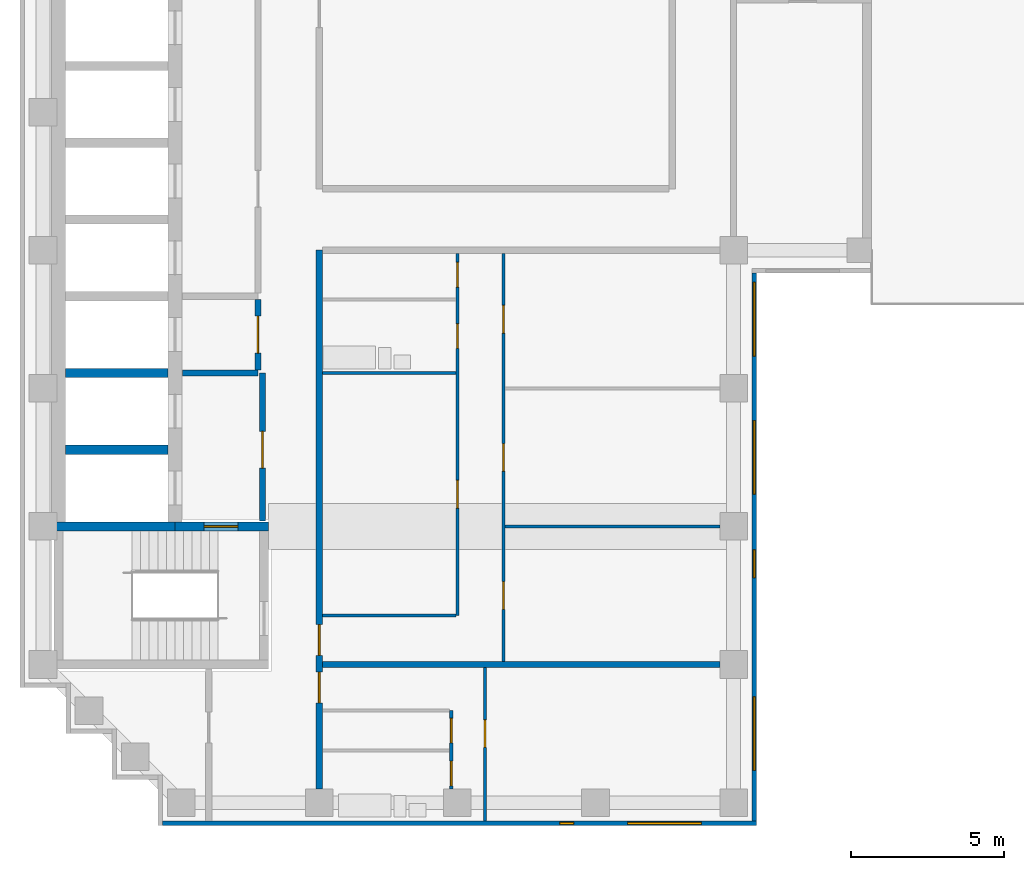
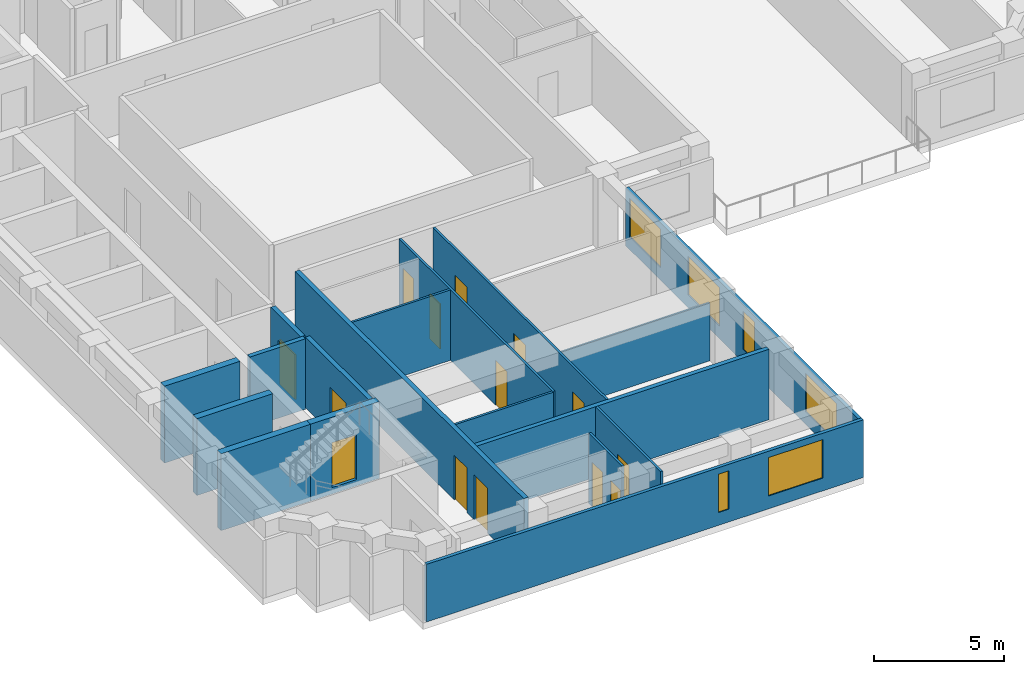
# One storey, part 2 of 7: 18 walls, 14 doors, 6 windows, 20 openings.
"""IFC4 building model written with IfcOpenShell, lengths in metres."""

import ifcopenshell
import ifcopenshell.guid

model = None  # the IFC model being written
_history = None  # IfcOwnerHistory: only IFC2X3 demands one
_inside = {}  # id of a spatial element -> (the spatial element, [elements in it])
_under = {}  # id of a project, library or spatial element -> (it, [spatial elements below it])
_declared = {}  # id of a project -> (the project, [libraries it declares])
_typed = {}  # id of a type object -> (the type object, [elements of that type])
_made_of = {}  # id of a material, layer set ... -> (it, [elements and type objects made of it])


def new_model(schema):
    """Start an empty IFC model of exactly this schema.

    Asked for "IFC4X3", IfcOpenShell would pick the latest addendum, in which some entities
    have other attributes; the version numbers below select the first issue.
    IFC2X3 requires an IfcOwnerHistory on every rooted entity: one is made here for all.
    """
    global model, _history
    if schema == "IFC4X3":
        model = ifcopenshell.file(schema_version=(4, 3, 0, 0))
    else:
        model = ifcopenshell.file(schema=schema)
    _inside.clear()
    _under.clear()
    _declared.clear()
    _typed.clear()
    _made_of.clear()
    _history = None
    if model.schema == "IFC2X3":
        org = make("IfcOrganization", Name="unknown")
        user = make(
            "IfcPersonAndOrganization",
            ThePerson=make("IfcPerson", FamilyName="unknown"),
            TheOrganization=org,
        )
        app = make(
            "IfcApplication",
            ApplicationDeveloper=org,
            Version="unknown",
            ApplicationFullName="unknown",
            ApplicationIdentifier="unknown",
        )
        _history = make(
            "IfcOwnerHistory",
            OwningUser=user,
            OwningApplication=app,
            ChangeAction="ADDED",
            CreationDate=0,
        )
    return model


def make(cls, **values):
    """One entity of the class cls with the attributes given. An attribute that is None is left unset."""
    return model.create_entity(
        cls, **{name: value for name, value in values.items() if value is not None}
    )


def rooted(cls, **values):
    """An entity with a GlobalId (a new one), such as an element, a storey or a relation."""
    return make(cls, GlobalId=ifcopenshell.guid.new(), OwnerHistory=_history, **values)


def si_unit(unit_type, name, prefix=None):
    """IfcSIUnit, for example si_unit("LENGTHUNIT", "METRE", prefix="MILLI")."""
    return make("IfcSIUnit", UnitType=unit_type, Prefix=prefix, Name=name)


def assignment(units):
    """IfcUnitAssignment: the units of a project."""
    return None if units is None else make("IfcUnitAssignment", Units=units)


def point(xyz):
    """IfcCartesianPoint."""
    return None if xyz is None else make("IfcCartesianPoint", Coordinates=xyz)


def direction(xyz):
    """IfcDirection."""
    return None if xyz is None else make("IfcDirection", DirectionRatios=xyz)


def frame(location, z_axis=None, x_axis=None):
    """IfcAxis2Placement3D, a coordinate frame: its origin and axes. An axis left out is left unset."""
    return make(
        "IfcAxis2Placement3D",
        Location=point(location),
        Axis=direction(z_axis),
        RefDirection=direction(x_axis),
    )


def frame_2d(location, x_axis=None):
    """IfcAxis2Placement2D, a coordinate frame in the plane: its origin and x axis."""
    return make(
        "IfcAxis2Placement2D", Location=point(location), RefDirection=direction(x_axis)
    )


def origin():
    """The frame at (0, 0, 0) with its axes left unset."""
    return frame((0.0, 0.0, 0.0))


def place(relative_to, where):
    """IfcLocalPlacement: puts the frame where relative to a parent placement (None: the world)."""
    return make(
        "IfcLocalPlacement", PlacementRelTo=relative_to, RelativePlacement=where
    )


def context(
    kind, dimensions, precision=None, world=None, true_north=None, identifier=None
):
    """IfcGeometricRepresentationContext, for example the 3D "Model" context."""
    return make(
        "IfcGeometricRepresentationContext",
        ContextIdentifier=identifier,
        ContextType=kind,
        CoordinateSpaceDimension=dimensions,
        Precision=precision,
        WorldCoordinateSystem=world,
        TrueNorth=true_north,
    )


def subcontext(parent, identifier, kind, view, scale=None):
    """IfcGeometricRepresentationSubContext, for example "Body" below "Model"."""
    return make(
        "IfcGeometricRepresentationSubContext",
        ContextIdentifier=identifier,
        ContextType=kind,
        ParentContext=parent,
        TargetScale=scale,
        TargetView=view,
    )


def project(units=None, contexts=None):
    """IfcProject with its units and contexts."""
    return rooted(
        "IfcProject",
        Name="project",
        RepresentationContexts=contexts,
        UnitsInContext=assignment(units),
    )


def spatial(cls, under=None, at=None, **own):
    """A site, building, storey or space (cls), placed at a placement, below another one or the project."""
    s = rooted(cls, ObjectPlacement=at, **own)
    if under is not None:
        _under.setdefault(under.id(), (under, []))[1].append(s)
    return s


def profile(cls, at=None, kind="AREA", **sizes):
    """A parametric profile (cls). Its sizes go by their IFC names, for example OverallWidth=200.0."""
    return make(cls, ProfileType=kind, Position=at, **sizes)


def rectangle(**sizes):
    """IfcRectangleProfileDef."""
    return profile("IfcRectangleProfileDef", **sizes)


def extrude(swept, where, along, depth):
    """IfcExtrudedAreaSolid: the profile swept, set in the frame where, extruded along a direction by depth."""
    return make(
        "IfcExtrudedAreaSolid",
        SweptArea=swept,
        Position=where,
        ExtrudedDirection=direction(along),
        Depth=depth,
    )


def shape(context_of_items, identifier, shape_type, items):
    """IfcShapeRepresentation: the items that make up one representation, for example the "Body"."""
    return make(
        "IfcShapeRepresentation",
        ContextOfItems=context_of_items,
        RepresentationIdentifier=identifier,
        RepresentationType=shape_type,
        Items=items,
    )


def material(Name=None, Category=None):
    """IfcMaterial."""
    return make("IfcMaterial", Name=Name, Category=Category)


def layer(
    of_material, thickness, ventilated=None, Name=None, Category=None, Priority=None
):
    """IfcMaterialLayer: one layer of a wall or slab, of a material (None: an air gap)."""
    return make(
        "IfcMaterialLayer",
        Material=of_material,
        LayerThickness=thickness,
        IsVentilated=ventilated,
        Name=Name,
        Category=Category,
        Priority=Priority,
    )


def layer_set(layers, Name=None):
    """IfcMaterialLayerSet."""
    return make("IfcMaterialLayerSet", MaterialLayers=layers, LayerSetName=Name)


def made_of(thing, what):
    """Note that an element or type object is made of a material, layer set ...; save() writes the relation."""
    if what is not None:
        _made_of.setdefault(what.id(), (what, []))[1].append(thing)
    return thing


def type_object(cls, material=None, **own):
    """A type object (cls), such as IfcWallType, which elements share."""
    return made_of(rooted(cls, **own), material)


def element(
    cls,
    number,
    at=None,
    inside=None,
    cuts=None,
    type_object=None,
    material=None,
    context=None,
    identifier="Body",
    shape_type=None,
    held_by="IfcProductDefinitionShape",
    body=None,
    shapes=None,
    **own,
):
    """One element of the class cls, such as IfcWall. Its Tag is "e" and its number.

    at: its placement. inside: the storey or other place that contains it. cuts: it is an
    opening in that element (IfcRelVoidsElement). A single representation is given by context,
    identifier, shape_type and body (its items); several are given by shapes. held_by: the class
    of the entity that holds the representations. save() writes the other relations.
    """
    e = rooted(cls, Tag="e%d" % number, ObjectPlacement=at, **own)
    if body is not None:
        shapes = [shape(context, identifier, shape_type, body)]
    if shapes is not None:
        e.Representation = make(held_by, Representations=shapes)
    if inside is not None:
        _inside.setdefault(inside.id(), (inside, []))[1].append(e)
    if cuts is not None:
        rooted(
            "IfcRelVoidsElement", RelatingBuildingElement=cuts, RelatedOpeningElement=e
        )
    if type_object is not None:
        _typed.setdefault(type_object.id(), (type_object, []))[1].append(e)
    return made_of(e, material)


def fill(opening, filler):
    """IfcRelFillsElement: the door or window that sits in an opening."""
    return rooted(
        "IfcRelFillsElement",
        RelatingOpeningElement=opening,
        RelatedBuildingElement=filler,
    )


def aggregate(whole, parts):
    """IfcRelAggregates: a whole, such as a stair, and the parts it consists of."""
    return rooted("IfcRelAggregates", RelatingObject=whole, RelatedObjects=parts)


def save(model, path):
    """Write the relations noted so far, then the file.

    IfcRelAggregates (storeys below a building ...), IfcRelContainedInSpatialStructure (elements
    in a storey), IfcRelDefinesByType, IfcRelAssociatesMaterial and IfcRelDeclares: one each for
    every whole, place, type object, material and project.
    """
    for whole, parts in _under.values():
        aggregate(whole, parts)
    for where, things in _inside.values():
        rooted(
            "IfcRelContainedInSpatialStructure",
            RelatedElements=things,
            RelatingStructure=where,
        )
    for kind, things in _typed.values():
        rooted("IfcRelDefinesByType", RelatedObjects=things, RelatingType=kind)
    for what, things in _made_of.values():
        rooted("IfcRelAssociatesMaterial", RelatedObjects=things, RelatingMaterial=what)
    for by, libraries in _declared.values():
        rooted("IfcRelDeclares", RelatingContext=by, RelatedDefinitions=libraries)
    model.write(path)


model = new_model("IFC4")

# Units and contexts
model_context = context("Model", 3, precision=1e-05, world=origin(), true_north=direction((0.0, 1.0)))
body_context = subcontext(model_context, "Body", "Model", "MODEL_VIEW")
ifc_project = project(units=[si_unit("LENGTHUNIT", "METRE"), si_unit("AREAUNIT", "SQUARE_METRE"), si_unit("VOLUMEUNIT", "CUBIC_METRE"), si_unit("PLANEANGLEUNIT", "RADIAN"), si_unit("MASSUNIT", "GRAM", prefix="KILO")], contexts=[model_context])

# Site, building, storey
site_placement = place(None, origin())
site = spatial("IfcSite", under=ifc_project, at=site_placement, CompositionType="ELEMENT")
building_placement = place(site_placement, origin())
building = spatial("IfcBuilding", under=site, at=building_placement, Name="Firuza Court", CompositionType="ELEMENT")
storey_placement = place(building_placement, frame((0.0, 0.0, 240.199951171875)))
storey = spatial("IfcBuildingStorey", under=building, at=storey_placement, Name="L62", CompositionType="ELEMENT", Elevation=240.199951171875)

# Walls
ifc_material_1 = material(Name="Moisture-resistant gypsum board partition")
ifc_layer_1 = layer(ifc_material_1, 0.10009765625)
ifc_layer_set_1 = layer_set([ifc_layer_1], Name="Moisture-resistant gypsum board partition")
wall_type_1 = type_object("IfcWallType", Name="Bathroom partition 100", PredefinedType="PLUMBINGWALL", material=ifc_layer_set_1)
wall_1_placement = place(storey_placement, frame((9.10009765625, 32.0, 0.0), z_axis=(0.0, 0.0, 1.0), x_axis=(1.0, 0.0, 0.0)))
element("IfcWall", 1, at=wall_1_placement, inside=storey, type_object=wall_type_1, Name="Bathroom partition 100 L62", PredefinedType="PLUMBINGWALL", context=body_context, shape_type="SweptSolid", body=[
    extrude(rectangle(XDim=4.349853515625, YDim=0.10009765625, at=frame_2d((2.1748046875, 0.0))), origin(), (0.0, 0.0, 1.0), 3.300048828125),
])
ifc_material_2 = material(Name="Concrete C50/60", Category="concrete")
ifc_layer_2 = layer(ifc_material_2, 0.300048828125)
ifc_layer_set_2 = layer_set([ifc_layer_2], Name="Concrete C50/60")
wall_type_2 = type_object("IfcWallType", Name="Core wall 300 C50/60", PredefinedType="SHEAR", material=ifc_layer_set_2)
wall_2_placement = place(storey_placement, frame((0.35009765625, 27.0, -0.300048828125), z_axis=(0.0, 0.0, 1.0), x_axis=(1.0, 0.0, 0.0)))
element("IfcWall", 2, at=wall_2_placement, inside=storey, type_object=wall_type_2, Name="Core wall lift shaft L62", PredefinedType="SHEAR", context=body_context, shape_type="SweptSolid", body=[
    extrude(rectangle(XDim=3.949951171875, YDim=0.300048828125, at=frame_2d((1.97509765625, 0.0))), origin(), (0.0, 0.0, 1.0), 3.60009765625),
])
for number, where, z_axis, x_axis, name in (
    (3, (0.72509765625, 29.5, -0.300048828125), (0.0, 0.0, 1.0), (1.0, 0.0, 0.0), "Core wall lift shaft L62"),
    (4, (0.72509765625, 32.0, -0.300048828125), (0.0, 0.0, 1.0), (1.0, 0.0, 0.0), "Core wall lift shaft L62"),
):
    element("IfcWall", number, at=place(storey_placement, frame(where, z_axis=z_axis, x_axis=x_axis)), inside=storey, type_object=wall_type_2, Name=name, PredefinedType="SHEAR", context=body_context, shape_type="SweptSolid", body=[
        extrude(rectangle(XDim=3.349853515625, YDim=0.300048828125, at=frame_2d((1.6748046875, 0.0))), origin(), (0.0, 0.0, 1.0), 3.60009765625),
    ])

# Wall, opening, door
wall_3_placement = place(storey_placement, frame((4.300048828125, 27.0, -0.300048828125), z_axis=(0.0, 0.0, 1.0), x_axis=(1.0, 0.0, 0.0)))
wall_3 = element("IfcWall", 5, at=wall_3_placement, inside=storey, type_object=wall_type_2, Name="Core wall stair L62", PredefinedType="SHEAR", context=body_context, shape_type="SweptSolid", body=[
    extrude(rectangle(XDim=3.050048828125, YDim=0.300048828125, at=frame_2d((1.52490234375, 0.0))), origin(), (0.0, 0.0, 1.0), 3.60009765625),
])
opening_1_placement = place(wall_3_placement, frame((0.949951171875, 0.0, 0.300048828125)))
opening_1 = element("IfcOpeningElement", 6, at=opening_1_placement, cuts=wall_3, Name="Opening D62009", PredefinedType="OPENING", context=body_context, shape_type="SweptSolid", body=[
    extrude(rectangle(XDim=1.10009765625, YDim=2.10009765625, at=frame_2d((0.550048828125, 1.050048828125))), frame((0.0, 0.162109375, 0.0), z_axis=(0.0, -1.0, 0.0), x_axis=(1.0, 0.0, 0.0)), (0.0, 0.0, 1.0), 0.323974609375),
])
ifc_material_3 = material(Name="Timber door leaf in hardwood frame", Category="wood")
door_type_1 = type_object("IfcDoorType", Name="Stair door 1100", OperationType="SINGLE_SWING_LEFT", PredefinedType="DOOR", material=ifc_material_3)
door_1_placement = place(opening_1_placement, frame((1.10009765625, 0.0, 0.0), z_axis=(0.0, 0.0, 1.0), x_axis=(-1.0, 0.0, 0.0)))
door_1 = element("IfcDoor", 7, at=door_1_placement, inside=storey, type_object=door_type_1, Name="Fire-fighting lobby door", OperationType="SINGLE_SWING_LEFT", OverallHeight=2.10009765625, OverallWidth=1.10009765625, PredefinedType="DOOR", context=body_context, shape_type="SweptSolid", body=[
    extrude(rectangle(XDim=1.10009765625, YDim=2.10009765625, at=frame_2d((0.550048828125, 1.050048828125))), frame((0.0, 0.02490234375, 0.0), z_axis=(0.0, -1.0, 0.0), x_axis=(1.0, 0.0, 0.0)), (0.0, 0.0, 1.0), 0.050048828125),
])
fill(opening_1, door_1)

# Wall, openings, doors
ifc_material_4 = material(Name="Blockwork, plastered both sides", Category="masonry")
ifc_layer_3 = layer(ifc_material_4, 0.199951171875)
ifc_layer_set_3 = layer_set([ifc_layer_3], Name="Blockwork, plastered both sides")
wall_type_3 = type_object("IfcWallType", Name="Corridor wall 200", PredefinedType="PARTITIONING", material=ifc_layer_set_3)
wall_4_placement = place(storey_placement, frame((9.0, 18.449951171875, 0.0), z_axis=(0.0, 0.0, 1.0), x_axis=(0.0, 1.0, 0.0)))
wall_4 = element("IfcWall", 8, at=wall_4_placement, inside=storey, type_object=wall_type_3, Name="Corridor wall 200 L62", PredefinedType="PARTITIONING", context=body_context, shape_type="SweptSolid", body=[
    extrude(rectangle(XDim=17.550048828125, YDim=0.199951171875, at=frame_2d((8.77490234375, 0.0))), origin(), (0.0, 0.0, 1.0), 3.300048828125),
])
opening_2_placement = place(wall_4_placement, frame((4.35009765625, 0.0, 0.0)))
opening_2 = element("IfcOpeningElement", 9, at=opening_2_placement, cuts=wall_4, Name="Opening D62014", PredefinedType="OPENING", context=body_context, shape_type="SweptSolid", body=[
    extrude(rectangle(XDim=1.0, YDim=2.10009765625, at=frame_2d((0.5, 1.050048828125))), frame((0.0, 0.11181640625, 0.0), z_axis=(0.0, -1.0, 0.0), x_axis=(1.0, 0.0, 0.0)), (0.0, 0.0, 1.0), 0.223876953125),
])
opening_3_placement = place(wall_4_placement, frame((2.800048828125, 0.0, 0.0)))
opening_3 = element("IfcOpeningElement", 10, at=opening_3_placement, cuts=wall_4, Name="Opening D62015", PredefinedType="OPENING", context=body_context, shape_type="SweptSolid", body=[
    extrude(rectangle(XDim=1.0, YDim=2.10009765625, at=frame_2d((0.5, 1.050048828125))), frame((0.0, 0.11181640625, 0.0), z_axis=(0.0, -1.0, 0.0), x_axis=(1.0, 0.0, 0.0)), (0.0, 0.0, 1.0), 0.223876953125),
])
ifc_material_5 = material(Name="Timber door leaf in hardwood frame", Category="wood")
door_type_2 = type_object("IfcDoorType", Name="Flat entrance door 1000", OperationType="SINGLE_SWING_LEFT", PredefinedType="DOOR", material=ifc_material_5)
door_2_placement = place(opening_2_placement, origin())
door_2 = element("IfcDoor", 11, at=door_2_placement, inside=storey, type_object=door_type_2, Name="Flat entrance door", OperationType="SINGLE_SWING_LEFT", OverallHeight=2.10009765625, OverallWidth=1.0, PredefinedType="DOOR", context=body_context, shape_type="SweptSolid", body=[
    extrude(rectangle(XDim=1.0, YDim=2.10009765625, at=frame_2d((0.5, 1.050048828125))), frame((0.0, 0.02490234375, 0.0), z_axis=(0.0, -1.0, 0.0), x_axis=(1.0, 0.0, 0.0)), (0.0, 0.0, 1.0), 0.050048828125),
])
fill(opening_2, door_2)
door_3_placement = place(opening_3_placement, origin())
door_3 = element("IfcDoor", 12, at=door_3_placement, inside=storey, type_object=door_type_2, Name="Flat entrance door", OperationType="SINGLE_SWING_LEFT", OverallHeight=2.10009765625, OverallWidth=1.0, PredefinedType="DOOR", context=body_context, shape_type="SweptSolid", body=[
    extrude(rectangle(XDim=1.0, YDim=2.10009765625, at=frame_2d((0.5, 1.050048828125))), frame((0.0, 0.02490234375, 0.0), z_axis=(0.0, -1.0, 0.0), x_axis=(1.0, 0.0, 0.0)), (0.0, 0.0, 1.0), 0.050048828125),
])
fill(opening_3, door_3)

# Wall, opening, door
ifc_material_6 = material(Name="Timber stud partition, plasterboard both sides", Category="wood")
ifc_layer_4 = layer(ifc_material_6, 0.10009765625)
ifc_layer_set_4 = layer_set([ifc_layer_4], Name="Timber stud partition, plasterboard both sides")
wall_type_4 = type_object("IfcWallType", Name="Partition wall 100", PredefinedType="PARTITIONING", material=ifc_layer_set_4)
wall_5_placement = place(storey_placement, frame((14.39990234375, 17.39990234375, 0.0), z_axis=(0.0, 0.0, 1.0), x_axis=(0.0, 1.0, 0.0)))
wall_5 = element("IfcWall", 13, at=wall_5_placement, inside=storey, type_object=wall_type_4, Name="Partition wall 100 L62", PredefinedType="PARTITIONING", context=body_context, shape_type="SweptSolid", body=[
    extrude(rectangle(XDim=5.0, YDim=0.10009765625, at=frame_2d((2.5, 0.0))), origin(), (0.0, 0.0, 1.0), 3.300048828125),
])
opening_4_placement = place(wall_5_placement, frame((2.39990234375, 0.0, 0.0)))
opening_4 = element("IfcOpeningElement", 14, at=opening_4_placement, cuts=wall_5, Name="Opening D62013", PredefinedType="OPENING", context=body_context, shape_type="SweptSolid", body=[
    extrude(rectangle(XDim=0.89990234375, YDim=2.10009765625, at=frame_2d((0.449951171875, 1.050048828125))), frame((0.0, 0.06201171875, 0.0), z_axis=(0.0, -1.0, 0.0), x_axis=(1.0, 0.0, 0.0)), (0.0, 0.0, 1.0), 0.1240234375),
])
ifc_material_7 = material(Name="Timber door leaf in hardwood frame", Category="wood")
door_type_3 = type_object("IfcDoorType", Name="Room door 900", OperationType="SINGLE_SWING_LEFT", PredefinedType="DOOR", material=ifc_material_7)
door_4_placement = place(opening_4_placement, frame((0.89990234375, 0.0, 0.0), z_axis=(0.0, 0.0, 1.0), x_axis=(-1.0, 0.0, 0.0)))
door_4 = element("IfcDoor", 15, at=door_4_placement, inside=storey, type_object=door_type_3, Name="Studio room door", OperationType="SINGLE_SWING_LEFT", OverallHeight=2.10009765625, OverallWidth=0.89990234375, PredefinedType="DOOR", context=body_context, shape_type="SweptSolid", body=[
    extrude(rectangle(XDim=0.89990234375, YDim=2.10009765625, at=frame_2d((0.449951171875, 1.050048828125))), frame((0.0, 0.02490234375, 0.0), z_axis=(0.0, -1.0, 0.0), x_axis=(1.0, 0.0, 0.0)), (0.0, 0.0, 1.0), 0.050048828125),
])
fill(opening_4, door_4)

# Wall, openings, doors
wall_6_placement = place(storey_placement, frame((13.300048828125, 18.449951171875, 0.0), z_axis=(0.0, 0.0, 1.0), x_axis=(0.0, 1.0, 0.0)))
wall_6 = element("IfcWall", 16, at=wall_6_placement, inside=storey, type_object=wall_type_4, Name="Partition wall 100 L62", PredefinedType="PARTITIONING", context=body_context, shape_type="SweptSolid", body=[
    extrude(rectangle(XDim=2.550048828125, YDim=0.10009765625, at=frame_2d((1.27490234375, 0.0))), origin(), (0.0, 0.0, 1.0), 3.300048828125),
])
opening_5_placement = place(wall_6_placement, frame((0.10009765625, 0.0, 0.0)))
opening_5 = element("IfcOpeningElement", 17, at=opening_5_placement, cuts=wall_6, Name="Opening D62016", PredefinedType="OPENING", context=body_context, shape_type="SweptSolid", body=[
    extrude(rectangle(XDim=0.800048828125, YDim=2.10009765625, at=frame_2d((0.39990234375, 1.050048828125))), frame((0.0, 0.06201171875, 0.0), z_axis=(0.0, -1.0, 0.0), x_axis=(1.0, 0.0, 0.0)), (0.0, 0.0, 1.0), 0.1240234375),
])
opening_6_placement = place(wall_6_placement, frame((1.5, 0.0, 0.0)))
opening_6 = element("IfcOpeningElement", 18, at=opening_6_placement, cuts=wall_6, Name="Opening D62017", PredefinedType="OPENING", context=body_context, shape_type="SweptSolid", body=[
    extrude(rectangle(XDim=0.800048828125, YDim=2.10009765625, at=frame_2d((0.39990234375, 1.050048828125))), frame((0.0, 0.06201171875, 0.0), z_axis=(0.0, -1.0, 0.0), x_axis=(1.0, 0.0, 0.0)), (0.0, 0.0, 1.0), 0.1240234375),
])
ifc_material_8 = material(Name="Timber door leaf in hardwood frame", Category="wood")
door_type_4 = type_object("IfcDoorType", Name="Bathroom door 800", OperationType="SINGLE_SWING_LEFT", PredefinedType="DOOR", material=ifc_material_8)
door_5_placement = place(opening_5_placement, origin())
door_5 = element("IfcDoor", 19, at=door_5_placement, inside=storey, type_object=door_type_4, Name="Bathroom door", OperationType="SINGLE_SWING_LEFT", OverallHeight=2.10009765625, OverallWidth=0.800048828125, PredefinedType="DOOR", context=body_context, shape_type="SweptSolid", body=[
    extrude(rectangle(XDim=0.800048828125, YDim=2.10009765625, at=frame_2d((0.39990234375, 1.050048828125))), frame((0.0, 0.02490234375, 0.0), z_axis=(0.0, -1.0, 0.0), x_axis=(1.0, 0.0, 0.0)), (0.0, 0.0, 1.0), 0.050048828125),
])
fill(opening_5, door_5)
ifc_material_9 = material(Name="Timber door leaf in hardwood frame", Category="wood")
door_type_5 = type_object("IfcDoorType", Name="Room door 800", OperationType="SINGLE_SWING_LEFT", PredefinedType="DOOR", material=ifc_material_9)
door_6_placement = place(opening_6_placement, origin())
door_6 = element("IfcDoor", 20, at=door_6_placement, inside=storey, type_object=door_type_5, Name="Kitchen door", OperationType="SINGLE_SWING_LEFT", OverallHeight=2.10009765625, OverallWidth=0.800048828125, PredefinedType="DOOR", context=body_context, shape_type="SweptSolid", body=[
    extrude(rectangle(XDim=0.800048828125, YDim=2.10009765625, at=frame_2d((0.39990234375, 1.050048828125))), frame((0.0, 0.02490234375, 0.0), z_axis=(0.0, -1.0, 0.0), x_axis=(1.0, 0.0, 0.0)), (0.0, 0.0, 1.0), 0.050048828125),
])
fill(opening_6, door_6)

wall_7_placement = place(storey_placement, frame((15.0, 22.60009765625, 0.0), z_axis=(0.0, 0.0, 1.0), x_axis=(0.0, 1.0, 0.0)))
wall_7 = element("IfcWall", 21, at=wall_7_placement, inside=storey, type_object=wall_type_4, Name="Partition wall 100 L62", PredefinedType="PARTITIONING", context=body_context, shape_type="SweptSolid", body=[
    extrude(rectangle(XDim=13.2998046875, YDim=0.10009765625, at=frame_2d((6.64990234375, 0.0))), origin(), (0.0, 0.0, 1.0), 3.300048828125),
])
opening_7_placement = place(wall_7_placement, frame((1.699951171875, 0.0, 0.0)))
opening_7 = element("IfcOpeningElement", 22, at=opening_7_placement, cuts=wall_7, Name="Opening D62018", PredefinedType="OPENING", context=body_context, shape_type="SweptSolid", body=[
    extrude(rectangle(XDim=0.89990234375, YDim=2.10009765625, at=frame_2d((0.449951171875, 1.050048828125))), frame((0.0, 0.06201171875, 0.0), z_axis=(0.0, -1.0, 0.0), x_axis=(1.0, 0.0, 0.0)), (0.0, 0.0, 1.0), 0.1240234375),
])
opening_8_placement = place(wall_7_placement, frame((6.199951171875, 0.0, 0.0)))
opening_8 = element("IfcOpeningElement", 23, at=opening_8_placement, cuts=wall_7, Name="Opening D62019", PredefinedType="OPENING", context=body_context, shape_type="SweptSolid", body=[
    extrude(rectangle(XDim=0.89990234375, YDim=2.10009765625, at=frame_2d((0.449951171875, 1.050048828125))), frame((0.0, 0.06201171875, 0.0), z_axis=(0.0, -1.0, 0.0), x_axis=(1.0, 0.0, 0.0)), (0.0, 0.0, 1.0), 0.1240234375),
])
opening_9_placement = place(wall_7_placement, frame((10.699951171875, 0.0, 0.0)))
opening_9 = element("IfcOpeningElement", 24, at=opening_9_placement, cuts=wall_7, Name="Opening D62020", PredefinedType="OPENING", context=body_context, shape_type="SweptSolid", body=[
    extrude(rectangle(XDim=0.89990234375, YDim=2.10009765625, at=frame_2d((0.449951171875, 1.050048828125))), frame((0.0, 0.06201171875, 0.0), z_axis=(0.0, -1.0, 0.0), x_axis=(1.0, 0.0, 0.0)), (0.0, 0.0, 1.0), 0.1240234375),
])
door_7_placement = place(opening_7_placement, frame((0.89990234375, 0.0, 0.0), z_axis=(0.0, 0.0, 1.0), x_axis=(-1.0, 0.0, 0.0)))
door_7 = element("IfcDoor", 25, at=door_7_placement, inside=storey, type_object=door_type_3, Name="Living room door", OperationType="SINGLE_SWING_RIGHT", OverallHeight=2.10009765625, OverallWidth=0.89990234375, PredefinedType="DOOR", context=body_context, shape_type="SweptSolid", body=[
    extrude(rectangle(XDim=0.89990234375, YDim=2.10009765625, at=frame_2d((0.449951171875, 1.050048828125))), frame((0.0, 0.02490234375, 0.0), z_axis=(0.0, -1.0, 0.0), x_axis=(1.0, 0.0, 0.0)), (0.0, 0.0, 1.0), 0.050048828125),
])
fill(opening_7, door_7)
door_8_placement = place(opening_8_placement, frame((0.89990234375, 0.0, 0.0), z_axis=(0.0, 0.0, 1.0), x_axis=(-1.0, 0.0, 0.0)))
door_8 = element("IfcDoor", 26, at=door_8_placement, inside=storey, type_object=door_type_3, Name="Bedroom door", OperationType="SINGLE_SWING_RIGHT", OverallHeight=2.10009765625, OverallWidth=0.89990234375, PredefinedType="DOOR", context=body_context, shape_type="SweptSolid", body=[
    extrude(rectangle(XDim=0.89990234375, YDim=2.10009765625, at=frame_2d((0.449951171875, 1.050048828125))), frame((0.0, 0.02490234375, 0.0), z_axis=(0.0, -1.0, 0.0), x_axis=(1.0, 0.0, 0.0)), (0.0, 0.0, 1.0), 0.050048828125),
])
fill(opening_8, door_8)
door_9_placement = place(opening_9_placement, frame((0.89990234375, 0.0, 0.0), z_axis=(0.0, 0.0, 1.0), x_axis=(-1.0, 0.0, 0.0)))
door_9 = element("IfcDoor", 27, at=door_9_placement, inside=storey, type_object=door_type_3, Name="Bedroom door", OperationType="SINGLE_SWING_RIGHT", OverallHeight=2.10009765625, OverallWidth=0.89990234375, PredefinedType="DOOR", context=body_context, shape_type="SweptSolid", body=[
    extrude(rectangle(XDim=0.89990234375, YDim=2.10009765625, at=frame_2d((0.449951171875, 1.050048828125))), frame((0.0, 0.02490234375, 0.0), z_axis=(0.0, -1.0, 0.0), x_axis=(1.0, 0.0, 0.0)), (0.0, 0.0, 1.0), 0.050048828125),
])
fill(opening_9, door_9)

# Wall
wall_8_placement = place(storey_placement, frame((9.10009765625, 24.10009765625, 0.0), z_axis=(0.0, 0.0, 1.0), x_axis=(1.0, 0.0, 0.0)))
element("IfcWall", 28, at=wall_8_placement, inside=storey, type_object=wall_type_4, Name="Partition wall 100 L62", PredefinedType="PARTITIONING", context=body_context, shape_type="SweptSolid", body=[
    extrude(rectangle(XDim=4.349853515625, YDim=0.10009765625, at=frame_2d((2.1748046875, 0.0))), origin(), (0.0, 0.0, 1.0), 3.300048828125),
])

# Wall, openings, doors
wall_9_placement = place(storey_placement, frame((13.5, 24.10009765625, 0.0), z_axis=(0.0, 0.0, 1.0), x_axis=(0.0, 1.0, 0.0)))
wall_9 = element("IfcWall", 29, at=wall_9_placement, inside=storey, type_object=wall_type_4, Name="Partition wall 100 L62", PredefinedType="PARTITIONING", context=body_context, shape_type="SweptSolid", body=[
    extrude(rectangle(XDim=11.7998046875, YDim=0.10009765625, at=frame_2d((5.89990234375, 0.0))), origin(), (0.0, 0.0, 1.0), 3.300048828125),
])
opening_10_placement = place(wall_9_placement, frame((8.699951171875, 0.0, 0.0)))
opening_10 = element("IfcOpeningElement", 30, at=opening_10_placement, cuts=wall_9, Name="Opening D62021", PredefinedType="OPENING", context=body_context, shape_type="SweptSolid", body=[
    extrude(rectangle(XDim=0.800048828125, YDim=2.10009765625, at=frame_2d((0.39990234375, 1.050048828125))), frame((0.0, 0.06201171875, 0.0), z_axis=(0.0, -1.0, 0.0), x_axis=(1.0, 0.0, 0.0)), (0.0, 0.0, 1.0), 0.1240234375),
])
opening_11_placement = place(wall_9_placement, frame((3.5, 0.0, 0.0)))
opening_11 = element("IfcOpeningElement", 31, at=opening_11_placement, cuts=wall_9, Name="Opening D62022", PredefinedType="OPENING", context=body_context, shape_type="SweptSolid", body=[
    extrude(rectangle(XDim=0.89990234375, YDim=2.10009765625, at=frame_2d((0.449951171875, 1.050048828125))), frame((0.0, 0.06201171875, 0.0), z_axis=(0.0, -1.0, 0.0), x_axis=(1.0, 0.0, 0.0)), (0.0, 0.0, 1.0), 0.1240234375),
])
opening_12_placement = place(wall_9_placement, frame((10.699951171875, 0.0, 0.0)))
opening_12 = element("IfcOpeningElement", 32, at=opening_12_placement, cuts=wall_9, Name="Opening D62023", PredefinedType="OPENING", context=body_context, shape_type="SweptSolid", body=[
    extrude(rectangle(XDim=0.800048828125, YDim=2.10009765625, at=frame_2d((0.39990234375, 1.050048828125))), frame((0.0, 0.06201171875, 0.0), z_axis=(0.0, -1.0, 0.0), x_axis=(1.0, 0.0, 0.0)), (0.0, 0.0, 1.0), 0.1240234375),
])
door_10_placement = place(opening_10_placement, origin())
door_10 = element("IfcDoor", 33, at=door_10_placement, inside=storey, type_object=door_type_4, Name="Bathroom door", OperationType="SINGLE_SWING_LEFT", OverallHeight=2.10009765625, OverallWidth=0.800048828125, PredefinedType="DOOR", context=body_context, shape_type="SweptSolid", body=[
    extrude(rectangle(XDim=0.800048828125, YDim=2.10009765625, at=frame_2d((0.39990234375, 1.050048828125))), frame((0.0, 0.02490234375, 0.0), z_axis=(0.0, -1.0, 0.0), x_axis=(1.0, 0.0, 0.0)), (0.0, 0.0, 1.0), 0.050048828125),
])
fill(opening_10, door_10)
door_11_placement = place(opening_12_placement, origin())
door_11 = element("IfcDoor", 34, at=door_11_placement, inside=storey, type_object=door_type_5, Name="Store door", OperationType="SINGLE_SWING_LEFT", OverallHeight=2.10009765625, OverallWidth=0.800048828125, PredefinedType="DOOR", context=body_context, shape_type="SweptSolid", body=[
    extrude(rectangle(XDim=0.800048828125, YDim=2.10009765625, at=frame_2d((0.39990234375, 1.050048828125))), frame((0.0, 0.02490234375, 0.0), z_axis=(0.0, -1.0, 0.0), x_axis=(1.0, 0.0, 0.0)), (0.0, 0.0, 1.0), 0.050048828125),
])
fill(opening_12, door_11)
door_12_placement = place(opening_11_placement, origin())
door_12 = element("IfcDoor", 35, at=door_12_placement, inside=storey, type_object=door_type_3, Name="Kitchen door", OperationType="SINGLE_SWING_LEFT", OverallHeight=2.10009765625, OverallWidth=0.89990234375, PredefinedType="DOOR", context=body_context, shape_type="SweptSolid", body=[
    extrude(rectangle(XDim=0.89990234375, YDim=2.10009765625, at=frame_2d((0.449951171875, 1.050048828125))), frame((0.0, 0.02490234375, 0.0), z_axis=(0.0, -1.0, 0.0), x_axis=(1.0, 0.0, 0.0)), (0.0, 0.0, 1.0), 0.050048828125),
])
fill(opening_11, door_12)

# Walls
wall_10_placement = place(storey_placement, frame((15.050048828125, 27.0, 0.0), z_axis=(0.0, 0.0, 1.0), x_axis=(1.0, 0.0, 0.0)))
element("IfcWall", 36, at=wall_10_placement, inside=storey, type_object=wall_type_4, Name="Partition wall 100 L62", PredefinedType="PARTITIONING", context=body_context, shape_type="SweptSolid", body=[
    extrude(rectangle(XDim=7.0, YDim=0.10009765625, at=frame_2d((3.5, 0.0))), origin(), (0.0, 0.0, 1.0), 2.699951171875),
])
ifc_layer_5 = layer(ifc_material_4, 0.199951171875)
ifc_layer_set_5 = layer_set([ifc_layer_5], Name="Blockwork, plastered both sides")
wall_type_5 = type_object("IfcWallType", Name="Party wall 200", PredefinedType="PARTITIONING", material=ifc_layer_set_5)
wall_11_placement = place(storey_placement, frame((9.10009765625, 22.5, 0.0), z_axis=(0.0, 0.0, 1.0), x_axis=(1.0, 0.0, 0.0)))
element("IfcWall", 37, at=wall_11_placement, inside=storey, type_object=wall_type_5, Name="Party wall 200 L62", PredefinedType="PARTITIONING", context=body_context, shape_type="SweptSolid", body=[
    extrude(rectangle(XDim=12.949951171875, YDim=0.199951171875, at=frame_2d((6.47509765625, 0.0))), origin(), (0.0, 0.0, 1.0), 3.300048828125),
])

# Wall, openings, windows
ifc_material_10 = material(Name="Ceramic tile", Category="ceramic")
ifc_layer_6 = layer(ifc_material_10, 0.02001953125)
ifc_material_11 = material(Name="Mineral wool insulation", Category="insulation")
ifc_layer_7 = layer(ifc_material_11, 0.050048828125)
ifc_material_12 = material(Name="Concrete C40/50 precast", Category="concrete")
ifc_layer_8 = layer(ifc_material_12, 0.080078125)
ifc_layer_set_6 = layer_set([ifc_layer_6, ifc_layer_7, ifc_layer_8], Name="Concrete C40/50 precast")
wall_type_6 = type_object("IfcWallType", Name="Precast cladding wall with turquoise TILE PANEL face 150", PredefinedType="STANDARD", material=ifc_layer_set_6)
wall_12_placement = place(storey_placement, frame((3.89990234375, 17.324951171875, 0.0), z_axis=(0.0, 0.0, 1.0), x_axis=(1.0, 0.0, 0.0)))
wall_12 = element("IfcWall", 38, at=wall_12_placement, inside=storey, type_object=wall_type_6, Name="Facade wall L62 S", PredefinedType="STANDARD", context=body_context, shape_type="SweptSolid", body=[
    extrude(rectangle(XDim=19.35009765625, YDim=0.14990234375, at=frame_2d((9.675048828125, 0.0))), origin(), (0.0, 0.0, 1.0), 2.699951171875),
])
opening_13_placement = place(wall_12_placement, frame((12.93798828125, 0.0, 0.60009765625)))
opening_13 = element("IfcOpeningElement", 39, at=opening_13_placement, cuts=wall_12, Name="Opening W5", PredefinedType="OPENING", context=body_context, shape_type="SweptSolid", body=[
    extrude(rectangle(XDim=0.449951171875, YDim=1.800048828125, at=frame_2d((0.22509765625, 0.89990234375))), frame((0.0, 0.0869140625, 0.0), z_axis=(0.0, -1.0, 0.0), x_axis=(1.0, 0.0, 0.0)), (0.0, 0.0, 1.0), 0.173828125),
])
opening_14_placement = place(wall_12_placement, frame((15.14990234375, 0.0, 0.60009765625)))
opening_14 = element("IfcOpeningElement", 40, at=opening_14_placement, cuts=wall_12, Name="Opening W1", PredefinedType="OPENING", context=body_context, shape_type="SweptSolid", body=[
    extrude(rectangle(XDim=2.39990234375, YDim=1.800048828125, at=frame_2d((1.199951171875, 0.89990234375))), frame((0.0, 0.0869140625, 0.0), z_axis=(0.0, -1.0, 0.0), x_axis=(1.0, 0.0, 0.0)), (0.0, 0.0, 1.0), 0.173828125),
])
ifc_material_13 = material(Name="Aluminium frame, triple clear glazing", Category="aluminium")
window_type_1 = type_object("IfcWindowType", Name="Window W1 2400 x 1800", PartitioningType="SINGLE_PANEL", PredefinedType="WINDOW", material=ifc_material_13)
window_1_placement = place(opening_14_placement, origin())
window_1 = element("IfcWindow", 41, at=window_1_placement, inside=storey, type_object=window_type_1, Name="Window L62", OverallHeight=1.800048828125, OverallWidth=2.39990234375, PartitioningType="SINGLE_PANEL", PredefinedType="WINDOW", context=body_context, shape_type="SweptSolid", body=[
    extrude(rectangle(XDim=2.39990234375, YDim=1.800048828125, at=frame_2d((1.199951171875, 0.89990234375))), frame((0.0, 0.030029296875, 0.0), z_axis=(0.0, -1.0, 0.0), x_axis=(1.0, 0.0, 0.0)), (0.0, 0.0, 1.0), 0.06005859375),
])
fill(opening_14, window_1)
ifc_material_14 = material(Name="Aluminium frame, triple clear glazing", Category="aluminium")
window_type_2 = type_object("IfcWindowType", Name="Window W5 450 x 1800", PartitioningType="SINGLE_PANEL", PredefinedType="WINDOW", material=ifc_material_14)
window_2_placement = place(opening_13_placement, origin())
window_2 = element("IfcWindow", 42, at=window_2_placement, inside=storey, type_object=window_type_2, Name="Window L62", OverallHeight=1.800048828125, OverallWidth=0.449951171875, PartitioningType="SINGLE_PANEL", PredefinedType="WINDOW", context=body_context, shape_type="SweptSolid", body=[
    extrude(rectangle(XDim=0.449951171875, YDim=1.800048828125, at=frame_2d((0.22509765625, 0.89990234375))), frame((0.0, 0.030029296875, 0.0), z_axis=(0.0, -1.0, 0.0), x_axis=(1.0, 0.0, 0.0)), (0.0, 0.0, 1.0), 0.06005859375),
])
fill(opening_13, window_2)

wall_13_placement = place(storey_placement, frame((23.175048828125, 17.39990234375, 0.0), z_axis=(0.0, 0.0, 1.0), x_axis=(0.0, 1.0, 0.0)))
wall_13 = element("IfcWall", 43, at=wall_13_placement, inside=storey, type_object=wall_type_6, Name="Facade wall L62 E", PredefinedType="STANDARD", context=body_context, shape_type="SweptSolid", body=[
    extrude(rectangle(XDim=17.85009765625, YDim=0.14990234375, at=frame_2d((8.925048828125, 0.0))), origin(), (0.0, 0.0, 1.0), 2.699951171875),
])
opening_15_placement = place(wall_13_placement, frame((1.64990234375, 0.0, 0.60009765625)))
opening_15 = element("IfcOpeningElement", 44, at=opening_15_placement, cuts=wall_13, Name="Opening W1", PredefinedType="OPENING", context=body_context, shape_type="SweptSolid", body=[
    extrude(rectangle(XDim=2.39990234375, YDim=1.800048828125, at=frame_2d((1.199951171875, 0.89990234375))), frame((0.0, 0.0869140625, 0.0), z_axis=(0.0, -1.0, 0.0), x_axis=(1.0, 0.0, 0.0)), (0.0, 0.0, 1.0), 0.173828125),
])
opening_16_placement = place(wall_13_placement, frame((7.935546875, 0.0, 0.60009765625)))
opening_16 = element("IfcOpeningElement", 45, at=opening_16_placement, cuts=wall_13, Name="Opening W3", PredefinedType="OPENING", context=body_context, shape_type="SweptSolid", body=[
    extrude(rectangle(XDim=0.89990234375, YDim=1.800048828125, at=frame_2d((0.449951171875, 0.89990234375))), frame((0.0, 0.0869140625, 0.0), z_axis=(0.0, -1.0, 0.0), x_axis=(1.0, 0.0, 0.0)), (0.0, 0.0, 1.0), 0.173828125),
])
opening_17_placement = place(wall_13_placement, frame((10.64990234375, 0.0, 0.60009765625)))
opening_17 = element("IfcOpeningElement", 46, at=opening_17_placement, cuts=wall_13, Name="Opening W1", PredefinedType="OPENING", context=body_context, shape_type="SweptSolid", body=[
    extrude(rectangle(XDim=2.39990234375, YDim=1.800048828125, at=frame_2d((1.199951171875, 0.89990234375))), frame((0.0, 0.0869140625, 0.0), z_axis=(0.0, -1.0, 0.0), x_axis=(1.0, 0.0, 0.0)), (0.0, 0.0, 1.0), 0.173828125),
])
opening_18_placement = place(wall_13_placement, frame((15.14990234375, 0.0, 0.60009765625)))
opening_18 = element("IfcOpeningElement", 47, at=opening_18_placement, cuts=wall_13, Name="Opening W1", PredefinedType="OPENING", context=body_context, shape_type="SweptSolid", body=[
    extrude(rectangle(XDim=2.39990234375, YDim=1.800048828125, at=frame_2d((1.199951171875, 0.89990234375))), frame((0.0, 0.0869140625, 0.0), z_axis=(0.0, -1.0, 0.0), x_axis=(1.0, 0.0, 0.0)), (0.0, 0.0, 1.0), 0.173828125),
])
window_3_placement = place(opening_15_placement, origin())
window_3 = element("IfcWindow", 48, at=window_3_placement, inside=storey, type_object=window_type_1, Name="Window L62", OverallHeight=1.800048828125, OverallWidth=2.39990234375, PartitioningType="SINGLE_PANEL", PredefinedType="WINDOW", context=body_context, shape_type="SweptSolid", body=[
    extrude(rectangle(XDim=2.39990234375, YDim=1.800048828125, at=frame_2d((1.199951171875, 0.89990234375))), frame((0.0, 0.030029296875, 0.0), z_axis=(0.0, -1.0, 0.0), x_axis=(1.0, 0.0, 0.0)), (0.0, 0.0, 1.0), 0.06005859375),
])
fill(opening_15, window_3)
window_4_placement = place(opening_17_placement, origin())
window_4 = element("IfcWindow", 49, at=window_4_placement, inside=storey, type_object=window_type_1, Name="Window L62", OverallHeight=1.800048828125, OverallWidth=2.39990234375, PartitioningType="SINGLE_PANEL", PredefinedType="WINDOW", context=body_context, shape_type="SweptSolid", body=[
    extrude(rectangle(XDim=2.39990234375, YDim=1.800048828125, at=frame_2d((1.199951171875, 0.89990234375))), frame((0.0, 0.030029296875, 0.0), z_axis=(0.0, -1.0, 0.0), x_axis=(1.0, 0.0, 0.0)), (0.0, 0.0, 1.0), 0.06005859375),
])
fill(opening_17, window_4)
window_5_placement = place(opening_18_placement, origin())
window_5 = element("IfcWindow", 50, at=window_5_placement, inside=storey, type_object=window_type_1, Name="Window L62", OverallHeight=1.800048828125, OverallWidth=2.39990234375, PartitioningType="SINGLE_PANEL", PredefinedType="WINDOW", context=body_context, shape_type="SweptSolid", body=[
    extrude(rectangle(XDim=2.39990234375, YDim=1.800048828125, at=frame_2d((1.199951171875, 0.89990234375))), frame((0.0, 0.030029296875, 0.0), z_axis=(0.0, -1.0, 0.0), x_axis=(1.0, 0.0, 0.0)), (0.0, 0.0, 1.0), 0.06005859375),
])
fill(opening_18, window_5)
ifc_material_15 = material(Name="Aluminium frame, triple clear glazing", Category="aluminium")
window_type_3 = type_object("IfcWindowType", Name="Window W3 900 x 1800", PartitioningType="SINGLE_PANEL", PredefinedType="WINDOW", material=ifc_material_15)
window_6_placement = place(opening_16_placement, origin())
window_6 = element("IfcWindow", 51, at=window_6_placement, inside=storey, type_object=window_type_3, Name="Window L62", OverallHeight=1.800048828125, OverallWidth=0.89990234375, PartitioningType="SINGLE_PANEL", PredefinedType="WINDOW", context=body_context, shape_type="SweptSolid", body=[
    extrude(rectangle(XDim=0.89990234375, YDim=1.800048828125, at=frame_2d((0.449951171875, 0.89990234375))), frame((0.0, 0.030029296875, 0.0), z_axis=(0.0, -1.0, 0.0), x_axis=(1.0, 0.0, 0.0)), (0.0, 0.0, 1.0), 0.06005859375),
])
fill(opening_16, window_6)

# Wall
ifc_material_16 = material(Name="Blockwork, fire-rated", Category="masonry")
ifc_layer_9 = layer(ifc_material_16, 0.199951171875)
ifc_layer_set_7 = layer_set([ifc_layer_9], Name="Blockwork, fire-rated")
wall_type_7 = type_object("IfcWallType", Name="Shaft wall 200", PredefinedType="PARTITIONING", material=ifc_layer_set_7)
wall_14_placement = place(storey_placement, frame((4.544921875, 32.0, 0.0), z_axis=(0.0, 0.0, 1.0), x_axis=(1.0, 0.0, 0.0)))
element("IfcWall", 52, at=wall_14_placement, inside=storey, type_object=wall_type_7, Name="Shaft wall 200 L62", PredefinedType="PARTITIONING", context=body_context, shape_type="SweptSolid", body=[
    extrude(rectangle(XDim=2.455078125, YDim=0.199951171875, at=frame_2d((1.2275390625, 0.0))), origin(), (0.0, 0.0, 1.0), 3.300048828125),
])

# Wall, opening, door
wall_15_placement = place(storey_placement, frame((7.0, 32.10009765625, 0.0), z_axis=(0.0, 0.0, 1.0), x_axis=(0.0, 1.0, 0.0)))
wall_15 = element("IfcWall", 53, at=wall_15_placement, inside=storey, type_object=wall_type_7, Name="Shaft wall 200 L62", PredefinedType="PARTITIONING", context=body_context, shape_type="SweptSolid", body=[
    extrude(rectangle(XDim=2.2998046875, YDim=0.199951171875, at=frame_2d((1.14990234375, 0.0))), origin(), (0.0, 0.0, 1.0), 3.300048828125),
])
opening_19_placement = place(wall_15_placement, frame((0.550048828125, 0.0, 0.0)))
opening_19 = element("IfcOpeningElement", 54, at=opening_19_placement, cuts=wall_15, Name="Opening D62007", PredefinedType="OPENING", context=body_context, shape_type="SweptSolid", body=[
    extrude(rectangle(XDim=1.199951171875, YDim=2.10009765625, at=frame_2d((0.60009765625, 1.050048828125))), frame((0.0, 0.11181640625, 0.0), z_axis=(0.0, -1.0, 0.0), x_axis=(1.0, 0.0, 0.0)), (0.0, 0.0, 1.0), 0.223876953125),
])
ifc_material_17 = material(Name="Timber door leaf in hardwood frame", Category="wood")
door_type_6 = type_object("IfcDoorType", Name="Lobby door 1200", OperationType="SINGLE_SWING_LEFT", PredefinedType="DOOR", material=ifc_material_17)
door_13_placement = place(opening_19_placement, origin())
door_13 = element("IfcDoor", 55, at=door_13_placement, inside=storey, type_object=door_type_6, Name="Lobby door", OperationType="SINGLE_SWING_LEFT", OverallHeight=2.10009765625, OverallWidth=1.199951171875, PredefinedType="DOOR", context=body_context, shape_type="SweptSolid", body=[
    extrude(rectangle(XDim=1.199951171875, YDim=2.10009765625, at=frame_2d((0.60009765625, 1.050048828125))), frame((0.0, 0.02490234375, 0.0), z_axis=(0.0, -1.0, 0.0), x_axis=(1.0, 0.0, 0.0)), (0.0, 0.0, 1.0), 0.050048828125),
])
fill(opening_19, door_13)

wall_16_placement = place(storey_placement, frame((7.14990234375, 27.169921875, 0.0), z_axis=(0.0, 0.0, 1.0), x_axis=(0.0, 1.0, 0.0)))
wall_16 = element("IfcWall", 56, at=wall_16_placement, inside=storey, type_object=wall_type_7, Name="Shaft wall 200 L62", PredefinedType="PARTITIONING", context=body_context, shape_type="SweptSolid", body=[
    extrude(rectangle(XDim=4.830078125, YDim=0.199951171875, at=frame_2d((2.4150390625, 0.0))), origin(), (0.0, 0.0, 1.0), 3.300048828125),
])
opening_20_placement = place(wall_16_placement, frame((1.72998046875, 0.0, 0.0)))
opening_20 = element("IfcOpeningElement", 57, at=opening_20_placement, cuts=wall_16, Name="Opening D62002", PredefinedType="OPENING", context=body_context, shape_type="SweptSolid", body=[
    extrude(rectangle(XDim=1.199951171875, YDim=2.10009765625, at=frame_2d((0.60009765625, 1.050048828125))), frame((0.0, 0.11181640625, 0.0), z_axis=(0.0, -1.0, 0.0), x_axis=(1.0, 0.0, 0.0)), (0.0, 0.0, 1.0), 0.223876953125),
])
door_14_placement = place(opening_20_placement, origin())
door_14 = element("IfcDoor", 58, at=door_14_placement, inside=storey, type_object=door_type_6, Name="Fire-fighting lobby door", OperationType="SINGLE_SWING_LEFT", OverallHeight=2.10009765625, OverallWidth=1.199951171875, PredefinedType="DOOR", context=body_context, shape_type="SweptSolid", body=[
    extrude(rectangle(XDim=1.199951171875, YDim=2.10009765625, at=frame_2d((0.60009765625, 1.050048828125))), frame((0.0, 0.02490234375, 0.0), z_axis=(0.0, -1.0, 0.0), x_axis=(1.0, 0.0, 0.0)), (0.0, 0.0, 1.0), 0.050048828125),
])
fill(opening_20, door_14)

save(model, "model.ifc")
